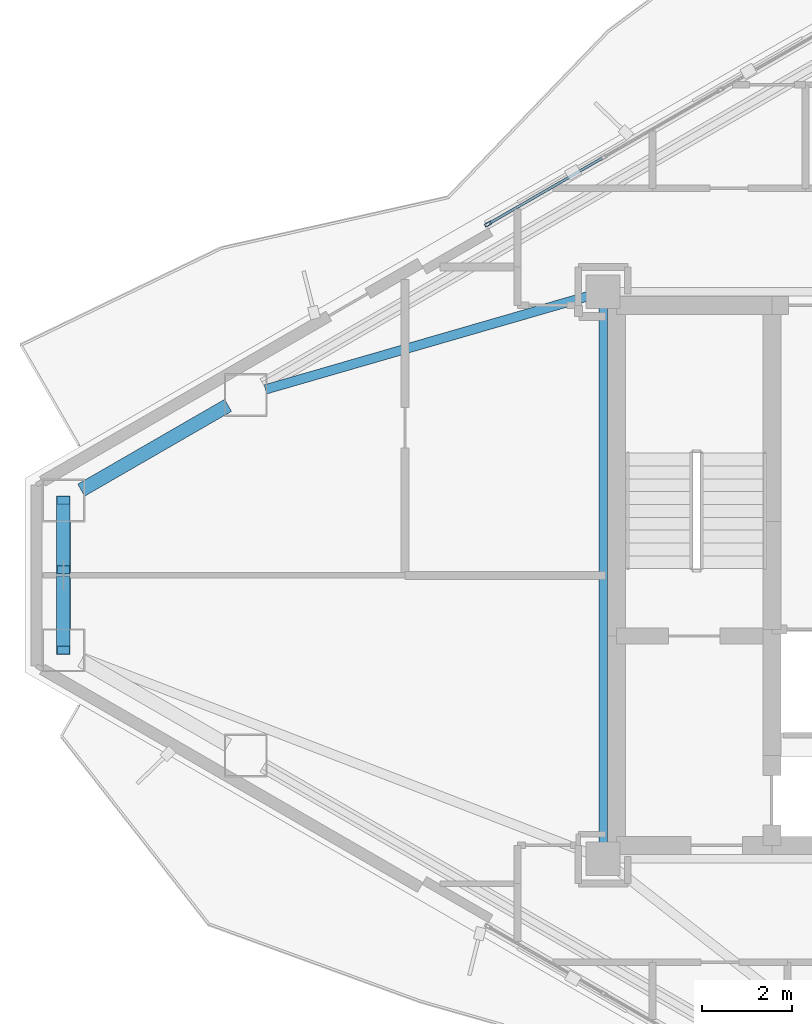
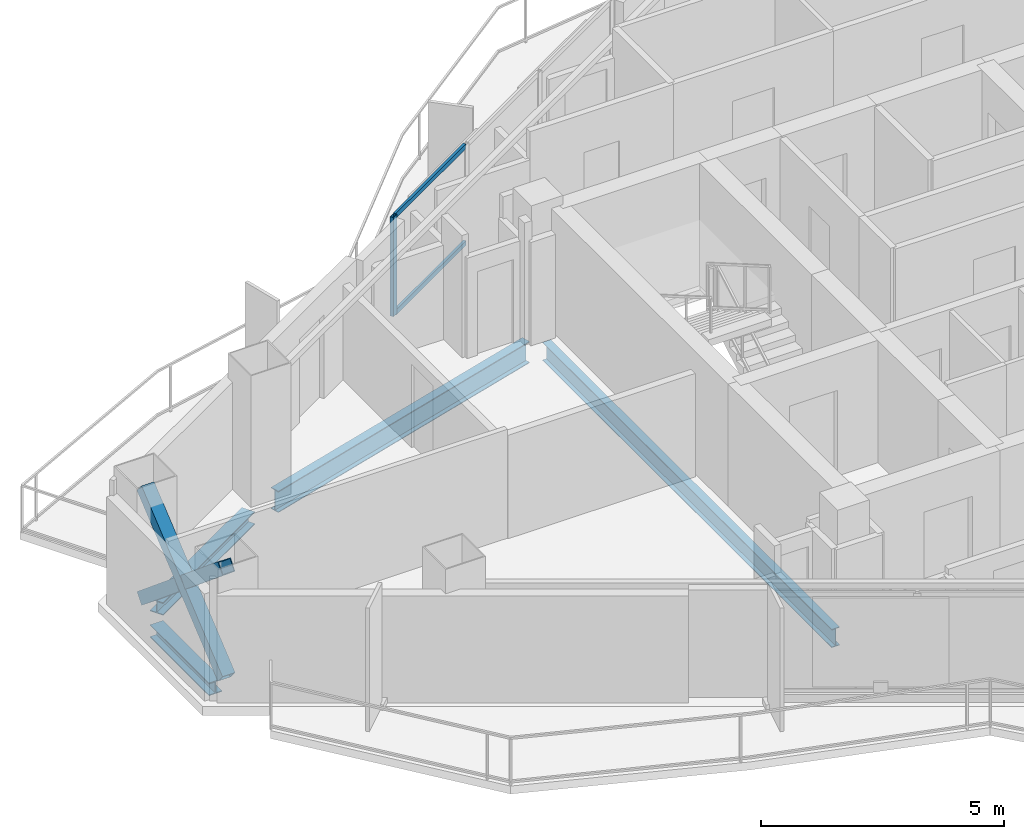
# One storey, part 7 of 21: 6 members, 4 beams, 1 element without a shape of its own.
"""IFC4 building model written with IfcOpenShell, lengths in metres."""

import ifcopenshell
import ifcopenshell.guid

model = None  # the IFC model being written
_history = None  # IfcOwnerHistory: only IFC2X3 demands one
_inside = {}  # id of a spatial element -> (the spatial element, [elements in it])
_under = {}  # id of a project, library or spatial element -> (it, [spatial elements below it])
_declared = {}  # id of a project -> (the project, [libraries it declares])
_typed = {}  # id of a type object -> (the type object, [elements of that type])
_made_of = {}  # id of a material, layer set ... -> (it, [elements and type objects made of it])


def new_model(schema):
    """Start an empty IFC model of exactly this schema.

    Asked for "IFC4X3", IfcOpenShell would pick the latest addendum, in which some entities
    have other attributes; the version numbers below select the first issue.
    IFC2X3 requires an IfcOwnerHistory on every rooted entity: one is made here for all.
    """
    global model, _history
    if schema == "IFC4X3":
        model = ifcopenshell.file(schema_version=(4, 3, 0, 0))
    else:
        model = ifcopenshell.file(schema=schema)
    _inside.clear()
    _under.clear()
    _declared.clear()
    _typed.clear()
    _made_of.clear()
    _history = None
    if model.schema == "IFC2X3":
        org = make("IfcOrganization", Name="unknown")
        user = make(
            "IfcPersonAndOrganization",
            ThePerson=make("IfcPerson", FamilyName="unknown"),
            TheOrganization=org,
        )
        app = make(
            "IfcApplication",
            ApplicationDeveloper=org,
            Version="unknown",
            ApplicationFullName="unknown",
            ApplicationIdentifier="unknown",
        )
        _history = make(
            "IfcOwnerHistory",
            OwningUser=user,
            OwningApplication=app,
            ChangeAction="ADDED",
            CreationDate=0,
        )
    return model


def make(cls, **values):
    """One entity of the class cls with the attributes given. An attribute that is None is left unset."""
    return model.create_entity(
        cls, **{name: value for name, value in values.items() if value is not None}
    )


def rooted(cls, **values):
    """An entity with a GlobalId (a new one), such as an element, a storey or a relation."""
    return make(cls, GlobalId=ifcopenshell.guid.new(), OwnerHistory=_history, **values)


def si_unit(unit_type, name, prefix=None):
    """IfcSIUnit, for example si_unit("LENGTHUNIT", "METRE", prefix="MILLI")."""
    return make("IfcSIUnit", UnitType=unit_type, Prefix=prefix, Name=name)


def assignment(units):
    """IfcUnitAssignment: the units of a project."""
    return None if units is None else make("IfcUnitAssignment", Units=units)


def point(xyz):
    """IfcCartesianPoint."""
    return None if xyz is None else make("IfcCartesianPoint", Coordinates=xyz)


def direction(xyz):
    """IfcDirection."""
    return None if xyz is None else make("IfcDirection", DirectionRatios=xyz)


def frame(location, z_axis=None, x_axis=None):
    """IfcAxis2Placement3D, a coordinate frame: its origin and axes. An axis left out is left unset."""
    return make(
        "IfcAxis2Placement3D",
        Location=point(location),
        Axis=direction(z_axis),
        RefDirection=direction(x_axis),
    )


def frame_2d(location, x_axis=None):
    """IfcAxis2Placement2D, a coordinate frame in the plane: its origin and x axis."""
    return make(
        "IfcAxis2Placement2D", Location=point(location), RefDirection=direction(x_axis)
    )


def origin():
    """The frame at (0, 0, 0) with its axes left unset."""
    return frame((0.0, 0.0, 0.0))


def origin_2d():
    """The frame at (0, 0) in the plane with its x axis left unset."""
    return frame_2d((0.0, 0.0))


def place(relative_to, where):
    """IfcLocalPlacement: puts the frame where relative to a parent placement (None: the world)."""
    return make(
        "IfcLocalPlacement", PlacementRelTo=relative_to, RelativePlacement=where
    )


def context(
    kind, dimensions, precision=None, world=None, true_north=None, identifier=None
):
    """IfcGeometricRepresentationContext, for example the 3D "Model" context."""
    return make(
        "IfcGeometricRepresentationContext",
        ContextIdentifier=identifier,
        ContextType=kind,
        CoordinateSpaceDimension=dimensions,
        Precision=precision,
        WorldCoordinateSystem=world,
        TrueNorth=true_north,
    )


def subcontext(parent, identifier, kind, view, scale=None):
    """IfcGeometricRepresentationSubContext, for example "Body" below "Model"."""
    return make(
        "IfcGeometricRepresentationSubContext",
        ContextIdentifier=identifier,
        ContextType=kind,
        ParentContext=parent,
        TargetScale=scale,
        TargetView=view,
    )


def project(units=None, contexts=None):
    """IfcProject with its units and contexts."""
    return rooted(
        "IfcProject",
        Name="project",
        RepresentationContexts=contexts,
        UnitsInContext=assignment(units),
    )


def spatial(cls, under=None, at=None, **own):
    """A site, building, storey or space (cls), placed at a placement, below another one or the project."""
    s = rooted(cls, ObjectPlacement=at, **own)
    if under is not None:
        _under.setdefault(under.id(), (under, []))[1].append(s)
    return s


def profile(cls, at=None, kind="AREA", **sizes):
    """A parametric profile (cls). Its sizes go by their IFC names, for example OverallWidth=200.0."""
    return make(cls, ProfileType=kind, Position=at, **sizes)


def hollow_rectangle(**sizes):
    """IfcRectangleHollowProfileDef."""
    return profile("IfcRectangleHollowProfileDef", **sizes)


def i_section(**sizes):
    """IfcIShapeProfileDef."""
    return profile("IfcIShapeProfileDef", **sizes)


def extrude(swept, where, along, depth):
    """IfcExtrudedAreaSolid: the profile swept, set in the frame where, extruded along a direction by depth."""
    return make(
        "IfcExtrudedAreaSolid",
        SweptArea=swept,
        Position=where,
        ExtrudedDirection=direction(along),
        Depth=depth,
    )


def shape(context_of_items, identifier, shape_type, items):
    """IfcShapeRepresentation: the items that make up one representation, for example the "Body"."""
    return make(
        "IfcShapeRepresentation",
        ContextOfItems=context_of_items,
        RepresentationIdentifier=identifier,
        RepresentationType=shape_type,
        Items=items,
    )


def material(Name=None, Category=None):
    """IfcMaterial."""
    return make("IfcMaterial", Name=Name, Category=Category)


def layer(
    of_material, thickness, ventilated=None, Name=None, Category=None, Priority=None
):
    """IfcMaterialLayer: one layer of a wall or slab, of a material (None: an air gap)."""
    return make(
        "IfcMaterialLayer",
        Material=of_material,
        LayerThickness=thickness,
        IsVentilated=ventilated,
        Name=Name,
        Category=Category,
        Priority=Priority,
    )


def layer_set(layers, Name=None):
    """IfcMaterialLayerSet."""
    return make("IfcMaterialLayerSet", MaterialLayers=layers, LayerSetName=Name)


def material_profile(
    of_material, cross_section, Name=None, Category=None, Priority=None
):
    """IfcMaterialProfile: a cross section and its material."""
    return make(
        "IfcMaterialProfile",
        Name=Name,
        Material=of_material,
        Profile=cross_section,
        Priority=Priority,
        Category=Category,
    )


def profile_set(profiles, Name=None, composite=None):
    """IfcMaterialProfileSet."""
    return make(
        "IfcMaterialProfileSet",
        Name=Name,
        MaterialProfiles=profiles,
        CompositeProfile=composite,
    )


def made_of(thing, what):
    """Note that an element or type object is made of a material, layer set ...; save() writes the relation."""
    if what is not None:
        _made_of.setdefault(what.id(), (what, []))[1].append(thing)
    return thing


def type_object(cls, material=None, **own):
    """A type object (cls), such as IfcWallType, which elements share."""
    return made_of(rooted(cls, **own), material)


def element(
    cls,
    number,
    at=None,
    inside=None,
    cuts=None,
    type_object=None,
    material=None,
    context=None,
    identifier="Body",
    shape_type=None,
    held_by="IfcProductDefinitionShape",
    body=None,
    shapes=None,
    **own,
):
    """One element of the class cls, such as IfcWall. Its Tag is "e" and its number.

    at: its placement. inside: the storey or other place that contains it. cuts: it is an
    opening in that element (IfcRelVoidsElement). A single representation is given by context,
    identifier, shape_type and body (its items); several are given by shapes. held_by: the class
    of the entity that holds the representations. save() writes the other relations.
    """
    e = rooted(cls, Tag="e%d" % number, ObjectPlacement=at, **own)
    if body is not None:
        shapes = [shape(context, identifier, shape_type, body)]
    if shapes is not None:
        e.Representation = make(held_by, Representations=shapes)
    if inside is not None:
        _inside.setdefault(inside.id(), (inside, []))[1].append(e)
    if cuts is not None:
        rooted(
            "IfcRelVoidsElement", RelatingBuildingElement=cuts, RelatedOpeningElement=e
        )
    if type_object is not None:
        _typed.setdefault(type_object.id(), (type_object, []))[1].append(e)
    return made_of(e, material)


def aggregate(whole, parts):
    """IfcRelAggregates: a whole, such as a stair, and the parts it consists of."""
    return rooted("IfcRelAggregates", RelatingObject=whole, RelatedObjects=parts)


def save(model, path):
    """Write the relations noted so far, then the file.

    IfcRelAggregates (storeys below a building ...), IfcRelContainedInSpatialStructure (elements
    in a storey), IfcRelDefinesByType, IfcRelAssociatesMaterial and IfcRelDeclares: one each for
    every whole, place, type object, material and project.
    """
    for whole, parts in _under.values():
        aggregate(whole, parts)
    for where, things in _inside.values():
        rooted(
            "IfcRelContainedInSpatialStructure",
            RelatedElements=things,
            RelatingStructure=where,
        )
    for kind, things in _typed.values():
        rooted("IfcRelDefinesByType", RelatedObjects=things, RelatingType=kind)
    for what, things in _made_of.values():
        rooted("IfcRelAssociatesMaterial", RelatedObjects=things, RelatingMaterial=what)
    for by, libraries in _declared.values():
        rooted("IfcRelDeclares", RelatingContext=by, RelatedDefinitions=libraries)
    model.write(path)


model = new_model("IFC4")

# Units and contexts
model_context = context("Model", 3, precision=1e-05, world=origin(), true_north=direction((0.0, 1.0)))
body_context = subcontext(model_context, "Body", "Model", "MODEL_VIEW")
ifc_project = project(units=[si_unit("LENGTHUNIT", "METRE"), si_unit("AREAUNIT", "SQUARE_METRE"), si_unit("VOLUMEUNIT", "CUBIC_METRE"), si_unit("PLANEANGLEUNIT", "RADIAN"), si_unit("MASSUNIT", "GRAM", prefix="KILO")], contexts=[model_context])

# Site, building, storey
site_placement = place(None, origin())
site = spatial("IfcSite", under=ifc_project, at=site_placement, CompositionType="ELEMENT")
building_placement = place(site_placement, origin())
building = spatial("IfcBuilding", under=site, at=building_placement, Name="Mersakhor Tower and Convention Hall", CompositionType="ELEMENT")
storey_placement = place(building_placement, frame((0.0, 0.0, 178.800048828125)))
storey = spatial("IfcBuildingStorey", under=building, at=storey_placement, Name="L49", CompositionType="ELEMENT", Elevation=178.800048828125)

# Beams
ifc_material_1 = material(Name="Steel S355", Category="steel")
ifc_material_profile_1 = material_profile(ifc_material_1, i_section(OverallWidth=0.19140625, OverallDepth=0.4599609375, WebThickness=0.010009765625, FlangeThickness=0.01611328125, at=origin_2d()), Name="UB 457x191x82")
ifc_profile_set_1 = profile_set([ifc_material_profile_1], Name="Steel S355")
beam_type_1 = type_object("IfcBeamType", Name="BM-FB-457", PredefinedType="BEAM", material=ifc_profile_set_1)
beam_1_placement = place(storey_placement, frame((21.89990234375, 20.804931640625, -0.4599609375), z_axis=(0.0, 1.0, 0.0), x_axis=(-1.0, 0.0, 0.0)))
element("IfcBeam", 1, at=beam_1_placement, inside=storey, type_object=beam_type_1, Name="L49 Core Ring Tie Beam CRB-1", PredefinedType="BEAM", context=body_context, shape_type="SweptSolid", body=[
    extrude(i_section(OverallWidth=0.19140625, OverallDepth=0.4599609375, WebThickness=0.010009765625, FlangeThickness=0.01611328125, at=origin_2d()), origin(), (0.0, 0.0, 1.0), 11.89013671875),
])
ifc_material_2 = material(Name="Steel S355", Category="steel")
ifc_material_profile_2 = material_profile(ifc_material_2, i_section(OverallWidth=0.2099609375, OverallDepth=0.53662109375, WebThickness=0.0107421875, FlangeThickness=0.017333984375, at=origin_2d()), Name="UB 533x210x101")
ifc_profile_set_2 = profile_set([ifc_material_profile_2], Name="Steel S355")
beam_type_2 = type_object("IfcBeamType", Name="BM-FB-533", PredefinedType="BEAM", material=ifc_profile_set_2)
beam_2_placement = place(storey_placement, frame((21.55908203125, 32.951416015625, -0.49853515625), z_axis=(-0.960669154125, -0.277695474059, 0.0), x_axis=(0.277695474059, -0.960669154125, 0.0)))
element("IfcBeam", 2, at=beam_2_placement, inside=storey, type_object=beam_type_2, Name="L49 Primary Floor Girder FG-1", PredefinedType="BEAM", context=body_context, shape_type="SweptSolid", body=[
    extrude(i_section(OverallWidth=0.2099609375, OverallDepth=0.53662109375, WebThickness=0.0107421875, FlangeThickness=0.017333984375, at=origin_2d()), origin(), (0.0, 0.0, 1.0), 7.455322265625),
])
ifc_material_3 = material(Name="Steel S355", Category="steel")
ifc_material_profile_3 = material_profile(ifc_material_3, i_section(OverallWidth=0.30908203125, OverallDepth=0.320556640625, WebThickness=0.013916015625, FlangeThickness=0.021728515625, at=origin_2d()), Name="UC 305x305x137")
ifc_profile_set_3 = profile_set([ifc_material_profile_3], Name="Steel S355")
beam_type_3 = type_object("IfcBeamType", Name="BM-SPD-UC305", PredefinedType="SPANDREL", material=ifc_profile_set_3)
beam_3_placement = place(storey_placement, frame((10.301513671875, 28.642822265625, -0.39013671875), z_axis=(0.866046450459, 0.499963544319, 0.0), x_axis=(-0.499963544319, 0.866046450459, 0.0)))
element("IfcBeam", 3, at=beam_3_placement, inside=storey, type_object=beam_type_3, Name="L49 Perimeter Spandrel Beam SPB-01", PredefinedType="SPANDREL", context=body_context, shape_type="SweptSolid", body=[
    extrude(i_section(OverallWidth=0.30908203125, OverallDepth=0.320556640625, WebThickness=0.013916015625, FlangeThickness=0.021728515625, at=origin_2d()), origin(), (0.0, 0.0, 1.0), 3.769287109375),
])
beam_4_placement = place(storey_placement, frame((9.907470703125, 25.539794921875, -0.39013671875), z_axis=(0.0, 1.0, 0.0), x_axis=(-1.0, 0.0, 0.0)))
element("IfcBeam", 4, at=beam_4_placement, inside=storey, type_object=beam_type_3, Name="L49 Perimeter Spandrel Beam SPB-12", PredefinedType="SPANDREL", context=body_context, shape_type="SweptSolid", body=[
    extrude(i_section(OverallWidth=0.30908203125, OverallDepth=0.320556640625, WebThickness=0.013916015625, FlangeThickness=0.021728515625, at=origin_2d()), origin(), (0.0, 0.0, 1.0), 2.42041015625),
])

# Curtain wall, members
ifc_material_4 = material(Name="Dark solar low-E aluminium curtain wall", Category="aluminium")
ifc_layer = layer(ifc_material_4, 0.169921875)
ifc_layer_set = layer_set([ifc_layer], Name="Dark solar low-E aluminium curtain wall")
curtain_wall_type = type_object("IfcCurtainWallType", Name="CW-SYS-02", PredefinedType="USERDEFINED", material=ifc_layer_set)
curtain_wall_placement = place(storey_placement, origin())
curtain_wall = element("IfcCurtainWall", 5, at=curtain_wall_placement, inside=storey, type_object=curtain_wall_type, Name="L49 Dark-Glass Curtain Wall F1-B2", ObjectType="CURTAIN WALL", PredefinedType="USERDEFINED")
ifc_material_5 = material(Name="Anodised aluminium EN AW-6063 T6", Category="aluminium")
ifc_material_profile_4 = material_profile(ifc_material_5, hollow_rectangle(XDim=0.074951171875, YDim=0.14990234375, WallThickness=0.00634765625, at=origin_2d()), Name="RHS 150x75x6.3")
ifc_profile_set_4 = profile_set([ifc_material_profile_4], Name="Anodised aluminium EN AW-6063 T6")
member_type_1 = type_object("IfcMemberType", Name="CWM-150x75", PredefinedType="MULLION", material=ifc_profile_set_4)
member_1_placement = place(storey_placement, frame((19.341796875, 34.554931640625, 0.199951171875), z_axis=(0.0, 0.0, 1.0), x_axis=(-0.500007824483, 0.86602088627, 0.0)))
member_1 = element("IfcMember", 6, at=member_1_placement, type_object=member_type_1, Name="CW-02 mullion 1", PredefinedType="MULLION", context=body_context, shape_type="SweptSolid", body=[
    extrude(hollow_rectangle(XDim=0.074951171875, YDim=0.14990234375, WallThickness=0.00634765625, at=origin_2d()), origin(), (0.0, 0.0, 1.0), 2.489990234375),
])
ifc_material_6 = material(Name="Anodised aluminium EN AW-6063 T6", Category="aluminium")
ifc_material_profile_5 = material_profile(ifc_material_6, hollow_rectangle(XDim=0.06005859375, YDim=0.1201171875, WallThickness=0.0048828125, at=origin_2d()), Name="RHS 120x60x5")
ifc_profile_set_5 = profile_set([ifc_material_profile_5], Name="Anodised aluminium EN AW-6063 T6")
member_type_2 = type_object("IfcMemberType", Name="CWT-120x60", PredefinedType="USERDEFINED", material=ifc_profile_set_5)
member_2_placement = place(storey_placement, frame((19.374267578125, 34.573486328125, 0.22998046875), z_axis=(0.86601237176, 0.50002257145, 0.0), x_axis=(-0.50002257145, 0.86601237176, 0.0)))
member_2 = element("IfcMember", 7, at=member_2_placement, type_object=member_type_2, Name="CW-02 transom 1.1", ObjectType="TRANSOM", PredefinedType="USERDEFINED", context=body_context, shape_type="SweptSolid", body=[
    extrude(hollow_rectangle(XDim=0.06005859375, YDim=0.1201171875, WallThickness=0.0048828125, at=origin_2d()), origin(), (0.0, 0.0, 1.0), 2.886962890625),
])
member_3_placement = place(storey_placement, frame((19.374267578125, 34.573486328125, 2.659912109375), z_axis=(0.86601237176, 0.50002257145, 0.0), x_axis=(-0.50002257145, 0.86601237176, 0.0)))
member_3 = element("IfcMember", 8, at=member_3_placement, type_object=member_type_2, Name="CW-02 transom 1.2", ObjectType="TRANSOM", PredefinedType="USERDEFINED", context=body_context, shape_type="SweptSolid", body=[
    extrude(hollow_rectangle(XDim=0.06005859375, YDim=0.1201171875, WallThickness=0.0048828125, at=origin_2d()), origin(), (0.0, 0.0, 1.0), 2.886962890625),
])
aggregate(curtain_wall, [member_1, member_2, member_3])

# Members
ifc_material_7 = material(Name="Steel S355", Category="steel")
ifc_material_profile_6 = material_profile(ifc_material_7, hollow_rectangle(XDim=0.300048828125, YDim=0.300048828125, WallThickness=0.01611328125, at=origin_2d()), Name="SHS 300x300x16")
ifc_profile_set_6 = profile_set([ifc_material_profile_6], Name="Steel S355")
member_type_3 = type_object("IfcMemberType", Name="MB-BRC-SHS300", PredefinedType="BRACE", material=ifc_profile_set_6)
member_4_placement = place(storey_placement, frame((9.907470703125, 25.084716796875, 0.14990234375), z_axis=(0.0, 0.768839937868, 0.639441279508), x_axis=(-1.0, 0.0, 0.0)))
element("IfcMember", 9, at=member_4_placement, inside=storey, type_object=member_type_3, Name="L49 Chamfer Braced Frame Diagonal CB-3A", PredefinedType="BRACE", context=body_context, shape_type="SweptSolid", body=[
    extrude(hollow_rectangle(XDim=0.300048828125, YDim=0.300048828125, WallThickness=0.01611328125, at=origin_2d()), origin(), (0.0, 0.0, 1.0), 4.33203125),
])
member_5_placement = place(storey_placement, frame((9.907470703125, 28.415283203125, 0.14990234375), z_axis=(0.0, -0.768839543052, 0.63944175422), x_axis=(1.0, 0.0, 0.0)))
element("IfcMember", 10, at=member_5_placement, inside=storey, type_object=member_type_3, Name="L49 Chamfer Braced Frame Diagonal CB-3B Lower Half", PredefinedType="BRACE", context=body_context, shape_type="SweptSolid", body=[
    extrude(hollow_rectangle(XDim=0.300048828125, YDim=0.300048828125, WallThickness=0.01611328125, at=origin_2d()), origin(), (0.0, 0.0, 1.0), 2.005615234375),
])
member_6_placement = place(storey_placement, frame((9.907470703125, 26.626708984375, 1.6376953125), z_axis=(0.0, -0.768899389676, 0.639369790149), x_axis=(1.0, 0.0, 0.0)))
element("IfcMember", 11, at=member_6_placement, inside=storey, type_object=member_type_3, Name="L49 Chamfer Braced Frame Diagonal CB-3B Upper Half", PredefinedType="BRACE", context=body_context, shape_type="SweptSolid", body=[
    extrude(hollow_rectangle(XDim=0.300048828125, YDim=0.300048828125, WallThickness=0.01611328125, at=origin_2d()), origin(), (0.0, 0.0, 1.0), 2.00537109375),
])

save(model, "model.ifc")
